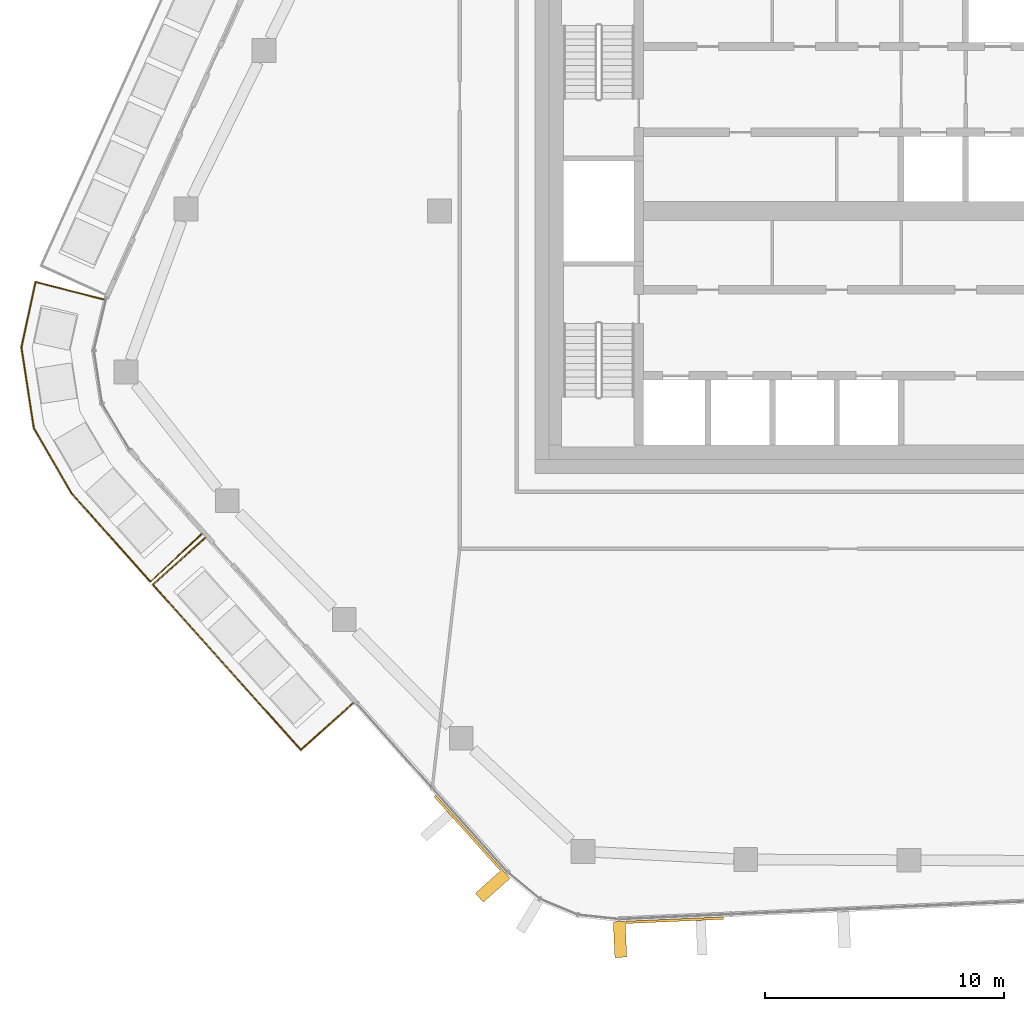
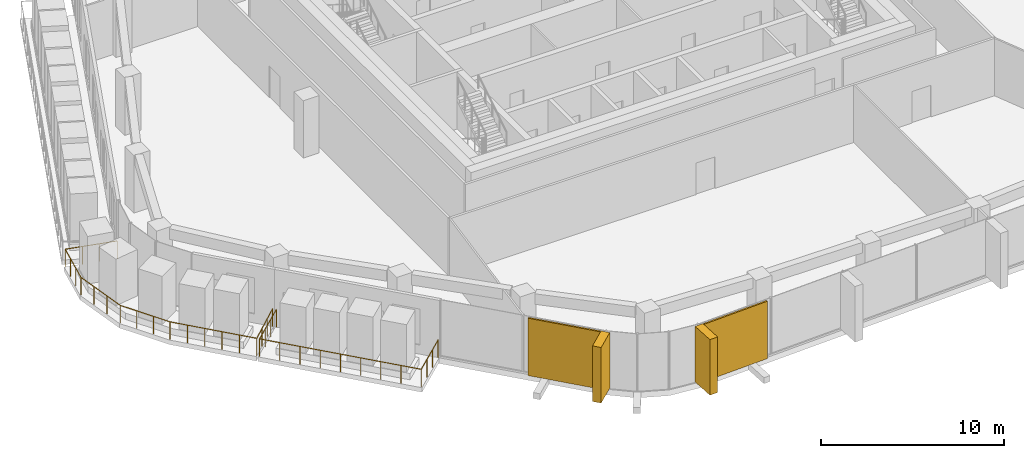
# One storey, part 17 of 23: 4 coverings, 2 railings, 2 elements without a shape of their own.
"""IFC4 building model written with IfcOpenShell, lengths in metres."""

from ifc_helpers import new_model, si_unit, direction, frame, origin, origin_2d, place, context, subcontext, project, spatial, rectangle, circle, extrude, material, layer, layer_set, material_profile, profile_set, type_object, element, aggregate, save


model = new_model("IFC4")

# Units and contexts
model_context = context("Model", 3, precision=1e-05, world=origin(), true_north=direction((0.0, 1.0)))
body_context = subcontext(model_context, "Body", "Model", "MODEL_VIEW")
ifc_project = project(units=[si_unit("LENGTHUNIT", "METRE"), si_unit("AREAUNIT", "SQUARE_METRE"), si_unit("VOLUMEUNIT", "CUBIC_METRE"), si_unit("PLANEANGLEUNIT", "RADIAN"), si_unit("MASSUNIT", "GRAM", prefix="KILO")], contexts=[model_context])

# Site, building, storey
site_placement = place(None, origin())
site = spatial("IfcSite", under=ifc_project, at=site_placement, CompositionType="ELEMENT")
building_placement = place(site_placement, origin())
building = spatial("IfcBuilding", under=site, at=building_placement, Name="Dongbaek Canopy Tower", CompositionType="ELEMENT")
storey_placement = place(building_placement, frame((0.0, 0.0, 323.60009765625)))
storey = spatial("IfcBuildingStorey", under=building, at=storey_placement, Name="L69", CompositionType="ELEMENT", Elevation=323.60009765625)

# Railings
ifc_material_1 = material(Name="Stainless steel", Category="steel")
railing_type = type_object("IfcRailingType", Name="Balcony balustrade 1200", PredefinedType="BALUSTRADE", material=ifc_material_1)
railing_1_placement = place(storey_placement, frame((-27.808349609375, -13.690673828125, 0.0)))
element("IfcRailing", 1, at=railing_1_placement, inside=storey, type_object=railing_type, Name="Balcony guard L69 3", PredefinedType="BALUSTRADE", context=body_context, shape_type="SweptSolid", body=[
    extrude(circle(Radius=0.02392578125, at=origin_2d()), frame((0.0, 0.0, 1.17578125), z_axis=(-0.745215250671, -0.666823987396, 0.0), x_axis=(0.666823987396, -0.745215250671, 0.0)), (0.0, 0.0, 1.0), 2.93994140625),
    extrude(circle(Radius=0.02392578125, at=origin_2d()), frame((-2.19091796875, -1.96044921875, 1.17578125), z_axis=(0.666887845842, -0.745158104745, 0.0), x_axis=(0.745158104745, 0.666887845842, 0.0)), (0.0, 0.0, 1.0), 9.285888671875),
    extrude(circle(Radius=0.02392578125, at=origin_2d()), frame((4.001708984375, -8.8798828125, 1.17578125), z_axis=(0.745178322448, 0.66686525457, 0.0), x_axis=(-0.66686525457, 0.745178322448, 0.0)), (0.0, 0.0, 1.0), 2.939697265625),
    extrude(circle(Radius=0.02099609375, at=origin_2d()), origin(), (0.0, 0.0, 1.0), 1.15185546875),
    extrude(circle(Radius=0.02099609375, at=origin_2d()), frame((-0.730224609375, -0.653564453125, 0.0)), (0.0, 0.0, 1.0), 1.15185546875),
    extrude(circle(Radius=0.02099609375, at=origin_2d()), frame((-1.460693359375, -1.306884765625, 0.0)), (0.0, 0.0, 1.0), 1.15185546875),
    extrude(circle(Radius=0.02099609375, at=origin_2d()), frame((-2.19091796875, -1.96044921875, 0.0)), (0.0, 0.0, 1.0), 1.15185546875),
    extrude(circle(Radius=0.02099609375, at=origin_2d()), frame((-1.416748046875, -2.825439453125, 0.0)), (0.0, 0.0, 1.0), 1.15185546875),
    extrude(circle(Radius=0.02099609375, at=origin_2d()), frame((-0.642822265625, -3.6904296875, 0.0)), (0.0, 0.0, 1.0), 1.15185546875),
    extrude(circle(Radius=0.02099609375, at=origin_2d()), frame((0.13134765625, -4.55517578125, 0.0)), (0.0, 0.0, 1.0), 1.15185546875),
    extrude(circle(Radius=0.02099609375, at=origin_2d()), frame((0.9052734375, -5.420166015625, 0.0)), (0.0, 0.0, 1.0), 1.15185546875),
    extrude(circle(Radius=0.02099609375, at=origin_2d()), frame((1.679443359375, -6.28515625, 0.0)), (0.0, 0.0, 1.0), 1.15185546875),
    extrude(circle(Radius=0.02099609375, at=origin_2d()), frame((2.45361328125, -7.14990234375, 0.0)), (0.0, 0.0, 1.0), 1.15185546875),
    extrude(circle(Radius=0.02099609375, at=origin_2d()), frame((3.2275390625, -8.014892578125, 0.0)), (0.0, 0.0, 1.0), 1.15185546875),
    extrude(circle(Radius=0.02099609375, at=origin_2d()), frame((4.001708984375, -8.8798828125, 0.0)), (0.0, 0.0, 1.0), 1.15185546875),
    extrude(circle(Radius=0.02099609375, at=origin_2d()), frame((4.73193359375, -8.226318359375, 0.0)), (0.0, 0.0, 1.0), 1.15185546875),
    extrude(circle(Radius=0.02099609375, at=origin_2d()), frame((5.462158203125, -7.572998046875, 0.0)), (0.0, 0.0, 1.0), 1.15185546875),
    extrude(circle(Radius=0.02099609375, at=origin_2d()), frame((6.1923828125, -6.91943359375, 0.0)), (0.0, 0.0, 1.0), 1.15185546875),
])
railing_2_placement = place(storey_placement, frame((-32.072509765625, -3.699951171875, 0.0)))
element("IfcRailing", 2, at=railing_2_placement, inside=storey, type_object=railing_type, Name="Balcony guard L69 6", PredefinedType="BALUSTRADE", context=body_context, shape_type="SweptSolid", body=[
    extrude(circle(Radius=0.02392578125, at=origin_2d()), frame((0.0, 0.0, 1.17578125), z_axis=(-0.968228057387, 0.250068848298, 0.0), x_axis=(-0.250068848298, -0.968228057387, 0.0)), (0.0, 0.0, 1.0), 2.940673828125),
    extrude(circle(Radius=0.02392578125, at=origin_2d()), frame((-2.84716796875, 0.7353515625, 1.17578125), z_axis=(-0.211422576538, -0.977394748364, 0.0), x_axis=(0.977394748364, -0.211422576538, 0.0)), (0.0, 0.0, 1.0), 2.808349609375),
    extrude(circle(Radius=0.02392578125, at=origin_2d()), frame((-3.44091796875, -2.009521484375, 1.17578125), z_axis=(0.152046456117, -0.988373348074, 0.0), x_axis=(0.988373348074, 0.152046456117, 0.0)), (0.0, 0.0, 1.0), 3.420166015625),
    extrude(circle(Radius=0.02392578125, at=origin_2d()), frame((-2.9208984375, -5.389892578125, 1.17578125), z_axis=(0.500895295026, -0.865507887556, 0.0), x_axis=(0.865507887556, 0.500895295026, 0.0)), (0.0, 0.0, 1.0), 3.140380859375),
    extrude(circle(Radius=0.02392578125, at=origin_2d()), frame((-1.347900390625, -8.10791015625, 1.17578125), z_axis=(0.664825724778, -0.746998497772, 0.0), x_axis=(0.746998497772, 0.664825724778, 0.0)), (0.0, 0.0, 1.0), 4.9853515625),
    extrude(circle(Radius=0.02392578125, at=origin_2d()), frame((1.966552734375, -11.83203125, 1.17578125), z_axis=(0.731414069782, 0.681933617388, 0.0), x_axis=(-0.681933617388, 0.731414069782, 0.0)), (0.0, 0.0, 1.0), 2.940673828125),
    extrude(circle(Radius=0.02099609375, at=origin_2d()), origin(), (0.0, 0.0, 1.0), 1.15185546875),
    extrude(circle(Radius=0.02099609375, at=origin_2d()), frame((-0.948974609375, 0.2451171875, 0.0)), (0.0, 0.0, 1.0), 1.15185546875),
    extrude(circle(Radius=0.02099609375, at=origin_2d()), frame((-1.898193359375, 0.490234375, 0.0)), (0.0, 0.0, 1.0), 1.15185546875),
    extrude(circle(Radius=0.02099609375, at=origin_2d()), frame((-2.84716796875, 0.7353515625, 0.0)), (0.0, 0.0, 1.0), 1.15185546875),
    extrude(circle(Radius=0.02099609375, at=origin_2d()), frame((-3.045166015625, -0.1796875, 0.0)), (0.0, 0.0, 1.0), 1.15185546875),
    extrude(circle(Radius=0.02099609375, at=origin_2d()), frame((-3.242919921875, -1.094482421875, 0.0)), (0.0, 0.0, 1.0), 1.15185546875),
    extrude(circle(Radius=0.02099609375, at=origin_2d()), frame((-3.44091796875, -2.009521484375, 0.0)), (0.0, 0.0, 1.0), 1.15185546875),
    extrude(circle(Radius=0.02099609375, at=origin_2d()), frame((-3.267578125, -3.13623046875, 0.0)), (0.0, 0.0, 1.0), 1.15185546875),
    extrude(circle(Radius=0.02099609375, at=origin_2d()), frame((-3.09423828125, -4.26318359375, 0.0)), (0.0, 0.0, 1.0), 1.15185546875),
    extrude(circle(Radius=0.02099609375, at=origin_2d()), frame((-2.9208984375, -5.389892578125, 0.0)), (0.0, 0.0, 1.0), 1.15185546875),
    extrude(circle(Radius=0.02099609375, at=origin_2d()), frame((-2.396484375, -6.2958984375, 0.0)), (0.0, 0.0, 1.0), 1.15185546875),
    extrude(circle(Radius=0.02099609375, at=origin_2d()), frame((-1.872314453125, -7.201904296875, 0.0)), (0.0, 0.0, 1.0), 1.15185546875),
    extrude(circle(Radius=0.02099609375, at=origin_2d()), frame((-1.347900390625, -8.10791015625, 0.0)), (0.0, 0.0, 1.0), 1.15185546875),
    extrude(circle(Radius=0.02099609375, at=origin_2d()), frame((-0.68505859375, -8.852783203125, 0.0)), (0.0, 0.0, 1.0), 1.15185546875),
    extrude(circle(Radius=0.02099609375, at=origin_2d()), frame((-0.022216796875, -9.59765625, 0.0)), (0.0, 0.0, 1.0), 1.15185546875),
    extrude(circle(Radius=0.02099609375, at=origin_2d()), frame((0.640869140625, -10.34228515625, 0.0)), (0.0, 0.0, 1.0), 1.15185546875),
    extrude(circle(Radius=0.02099609375, at=origin_2d()), frame((1.3037109375, -11.087158203125, 0.0)), (0.0, 0.0, 1.0), 1.15185546875),
    extrude(circle(Radius=0.02099609375, at=origin_2d()), frame((1.966552734375, -11.83203125, 0.0)), (0.0, 0.0, 1.0), 1.15185546875),
    extrude(circle(Radius=0.02099609375, at=origin_2d()), frame((2.68359375, -11.16357421875, 0.0)), (0.0, 0.0, 1.0), 1.15185546875),
    extrude(circle(Radius=0.02099609375, at=origin_2d()), frame((3.400390625, -10.4951171875, 0.0)), (0.0, 0.0, 1.0), 1.15185546875),
    extrude(circle(Radius=0.02099609375, at=origin_2d()), frame((4.117431640625, -9.82666015625, 0.0)), (0.0, 0.0, 1.0), 1.15185546875),
])

# Curtain wall, covering
ifc_material_2 = material(Name="Aluminium 6063-T6 pale anodised", Category="aluminium")
ifc_layer_1 = layer(ifc_material_2, 0.199951171875)
ifc_layer_set_1 = layer_set([ifc_layer_1], Name="CW-1 unitised tower curtain wall")
curtain_wall_type = type_object("IfcCurtainWallType", Name="CW-1 unitised tower curtain wall", PredefinedType="NOTDEFINED", material=ifc_layer_set_1)
curtain_wall_1_placement = place(storey_placement, origin())
curtain_wall_1 = element("IfcCurtainWall", 3, at=curtain_wall_1_placement, inside=storey, type_object=curtain_wall_type, Name="CW-1 curtain wall F3.1", PredefinedType="NOTDEFINED")
ifc_material_3 = material(Name="Perforated aluminium 6063-T6 pale metal screen", Category="aluminium")
ifc_layer_2 = layer(ifc_material_3, 0.10009765625)
ifc_layer_set_2 = layer_set([ifc_layer_2], Name="Facet screen FS1 100 pale metal")
covering_type_1 = type_object("IfcCoveringType", Name="Facet screen FS1 100 pale metal", PredefinedType="CLADDING", material=ifc_layer_set_2)
covering_1_placement = place(storey_placement, frame((-16.814208984375, -26.044189453125, 0.0), z_axis=(0.0, 0.0, 1.0), x_axis=(0.666879791851, -0.74516531268, 0.0)))
covering_1 = element("IfcCovering", 4, at=covering_1_placement, type_object=covering_type_1, Name="Facet screen L69 F3", PredefinedType="CLADDING", context=body_context, shape_type="SweptSolid", body=[
    extrude(rectangle(XDim=4.134033203125, YDim=0.10009765625, at=origin_2d()), origin(), (0.0, 0.0, 1.0), 3.820068359375),
])

curtain_wall_2_placement = place(storey_placement, origin())
curtain_wall_2 = element("IfcCurtainWall", 5, at=curtain_wall_2_placement, inside=storey, type_object=curtain_wall_type, Name="CW-1 curtain wall F4.1", PredefinedType="NOTDEFINED")
covering_2_placement = place(storey_placement, frame((-8.130126953125, -29.71240234375, 0.0), z_axis=(0.0, 0.0, 1.0), x_axis=(0.999050275988, 0.043572308279, 0.0)))
covering_2 = element("IfcCovering", 6, at=covering_2_placement, type_object=covering_type_1, Name="Facet screen L69 F4", PredefinedType="CLADDING", context=body_context, shape_type="SweptSolid", body=[
    extrude(rectangle(XDim=4.087158203125, YDim=0.10009765625, at=origin_2d()), origin(), (0.0, 0.0, 1.0), 3.820068359375),
])

# Covering
ifc_material_4 = material(Name="Aluminium 6063-T6 pale metal fin", Category="aluminium")
ifc_material_profile = material_profile(ifc_material_4, rectangle(XDim=1.5, YDim=0.5, at=origin_2d()), Name="Fin FN1 500 x 1500 pale metal")
ifc_profile_set = profile_set([ifc_material_profile], Name="Aluminium 6063-T6 pale metal fin")
covering_type_2 = type_object("IfcCoveringType", Name="Fin FN1 500 x 1500 pale metal", PredefinedType="CLADDING", material=ifc_profile_set)
covering_3_placement = place(storey_placement, frame((-15.76708984375, -28.27001953125, 0.119873046875), z_axis=(0.0, 0.0, 1.0), x_axis=(-0.745164960814, -0.666880185022, 0.0)))
covering_3 = element("IfcCovering", 7, at=covering_3_placement, type_object=covering_type_2, Name="Fin F3.1.3", PredefinedType="CLADDING", context=body_context, shape_type="SweptSolid", body=[
    extrude(rectangle(XDim=1.5, YDim=0.5, at=origin_2d()), origin(), (0.0, 0.0, 1.0), 3.699951171875),
])

aggregate(curtain_wall_1, [covering_3, covering_1])

covering_4_placement = place(storey_placement, frame((-10.430908203125, -30.517333984375, 0.119873046875), z_axis=(0.0, 0.0, 1.0), x_axis=(0.04357165489, -0.999050304484, 0.0)))
covering_4 = element("IfcCovering", 8, at=covering_4_placement, type_object=covering_type_2, Name="Fin F4.1.1", PredefinedType="CLADDING", context=body_context, shape_type="SweptSolid", body=[
    extrude(rectangle(XDim=1.5, YDim=0.5, at=origin_2d()), origin(), (0.0, 0.0, 1.0), 3.699951171875),
])

aggregate(curtain_wall_2, [covering_4, covering_2])

save(model, "model.ifc")
